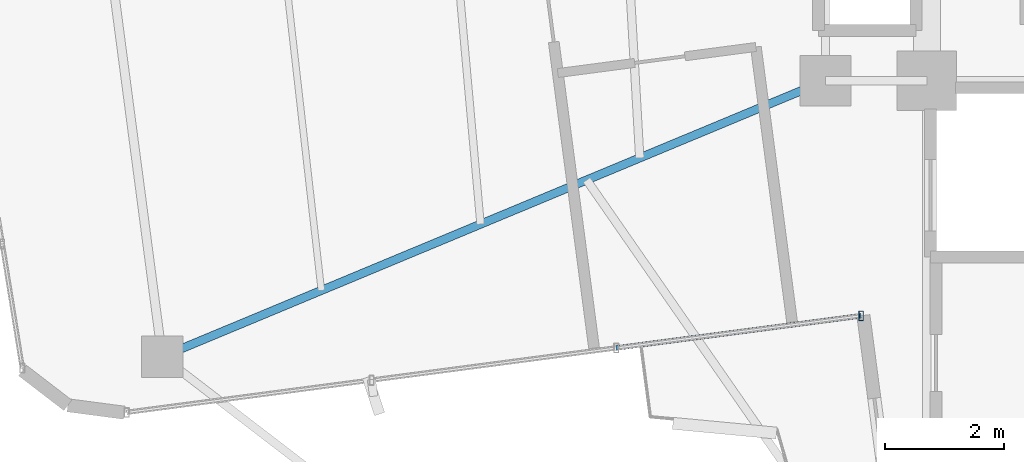
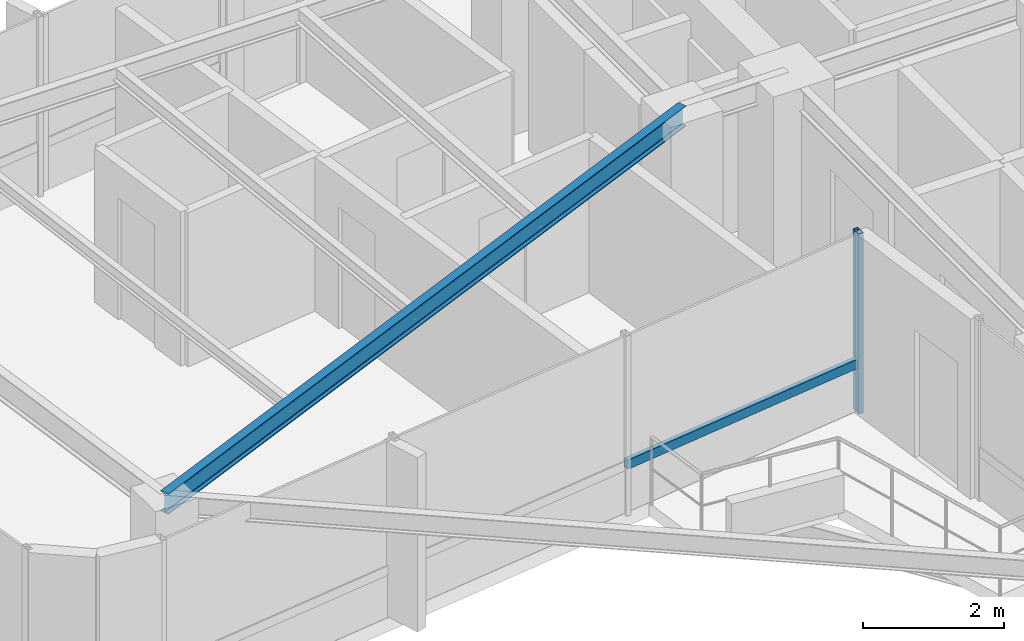
# One storey, part 3 of 21: 2 members, 1 beam, 1 element without a shape of its own.
"""IFC4 building model written with IfcOpenShell, lengths in metres."""

from ifc_helpers import new_model, si_unit, direction, frame, origin, origin_2d, place, context, subcontext, project, spatial, hollow_rectangle, i_section, extrude, source, transform, mapped, material, material_profile, profile_set, type_object, element, aggregate, save


model = new_model("IFC4")

# Units and contexts
model_context = context("Model", 3, precision=1e-05, world=origin(), true_north=direction((0.0, 1.0)))
body_context = subcontext(model_context, "Body", "Model", "MODEL_VIEW")
ifc_project = project(units=[si_unit("LENGTHUNIT", "METRE"), si_unit("AREAUNIT", "SQUARE_METRE"), si_unit("VOLUMEUNIT", "CUBIC_METRE"), si_unit("PLANEANGLEUNIT", "RADIAN"), si_unit("MASSUNIT", "GRAM", prefix="KILO")], contexts=[model_context])

# Site, building, storey
site_placement = place(None, origin())
site = spatial("IfcSite", under=ifc_project, at=site_placement, CompositionType="ELEMENT")
building_placement = place(site_placement, origin())
building = spatial("IfcBuilding", under=site, at=building_placement, Name="Sahyath Konkavel Grand Hotel", CompositionType="ELEMENT")
storey_placement = place(building_placement, frame((0.0, 0.0, 216.550048828125)))
storey = spatial("IfcBuildingStorey", under=building, at=storey_placement, Name="L60", CompositionType="ELEMENT", Elevation=216.550048828125)

# Beam
ifc_material_1 = material(Name="Steel E350", Category="steel")
ifc_material_profile_1 = material_profile(ifc_material_1, i_section(OverallWidth=0.139892578125, OverallDepth=0.35009765625, WebThickness=0.008056640625, FlangeThickness=0.01416015625, FilletRadius=0.013916015625, at=origin_2d()), Name="ISMB 350")
ifc_profile_set_1 = profile_set([ifc_material_profile_1], Name="Steel E350")
beam_type = type_object("IfcBeamType", Name="BM-ISMB350", PredefinedType="BEAM", material=ifc_profile_set_1)
shared_shape_1 = source(origin(), body_context, "Body", "SweptSolid", [
    extrude(i_section(OverallWidth=0.139892578125, OverallDepth=0.35009765625, WebThickness=0.008056640625, FlangeThickness=0.01416015625, FilletRadius=0.013916015625, at=origin_2d()), origin(), (0.0, 0.0, 1.0), 12.049560546875),
])
beam_placement = place(storey_placement, frame((-5.5, -2.39990234375, 2.93505859375), z_axis=(-0.923226714744, -0.384255687248, 0.0), x_axis=(0.384255687248, -0.923226714744, 0.0)))
element("IfcBeam", 1, at=beam_placement, inside=storey, type_object=beam_type, Name="L60 Cruciform Radial Girder WB", PredefinedType="BEAM", context=body_context, shape_type="MappedRepresentation", body=[
    mapped(shared_shape_1, transform((0.0, 0.0, 0.0), scale=1.0)),
])

# Curtain wall, members
ifc_material_2 = material(Name="Anodised Bronze Aluminium & Low-E Glazing", Category="aluminium")
curtain_wall_type = type_object("IfcCurtainWallType", Name="CW-ZONE4", PredefinedType="NOTDEFINED", material=ifc_material_2)
curtain_wall_placement = place(storey_placement, origin())
curtain_wall = element("IfcCurtainWall", 2, at=curtain_wall_placement, inside=storey, type_object=curtain_wall_type, Name="L60 Unitised Curtain Wall F23", PredefinedType="NOTDEFINED")
ifc_material_3 = material(Name="Anodised Bronze Aluminium", Category="aluminium")
ifc_material_profile_2 = material_profile(ifc_material_3, hollow_rectangle(XDim=0.080078125, YDim=0.159912109375, WallThickness=0.006103515625, at=origin_2d()), Name="RHS 160x80x6")
ifc_profile_set_2 = profile_set([ifc_material_profile_2], Name="Anodised Bronze Aluminium")
member_type_1 = type_object("IfcMemberType", Name="CW-MUL-160", PredefinedType="MULLION", material=ifc_profile_set_2)
shared_shape_2 = source(origin(), body_context, "Body", "SweptSolid", [
    extrude(hollow_rectangle(XDim=0.080078125, YDim=0.159912109375, WallThickness=0.006103515625, at=origin_2d()), origin(), (0.0, 0.0, 1.0), 3.10986328125),
])
member_1_placement = place(storey_placement, frame((-4.90380859375, -6.34423828125, 0.0), z_axis=(0.0, 0.0, 1.0), x_axis=(1.0, 0.0, 0.0)))
member_1 = element("IfcMember", 3, at=member_1_placement, type_object=member_type_1, Name="L60 Curtain Wall Mullion F23-3", PredefinedType="MULLION", context=body_context, shape_type="MappedRepresentation", body=[
    mapped(shared_shape_2, transform((0.0, 0.0, 0.0), scale=1.0)),
])
ifc_material_profile_3 = material_profile(ifc_material_3, hollow_rectangle(XDim=0.080078125, YDim=0.159912109375, WallThickness=0.006103515625, at=origin_2d()), Name="RHS 160x80x6")
ifc_profile_set_3 = profile_set([ifc_material_profile_3], Name="Anodised Bronze Aluminium")
member_type_2 = type_object("IfcMemberType", Name="CW-TRN-160", PredefinedType="USERDEFINED", material=ifc_profile_set_3)
shared_shape_3 = source(origin(), body_context, "Body", "SweptSolid", [
    extrude(hollow_rectangle(XDim=0.080078125, YDim=0.159912109375, WallThickness=0.006103515625, at=origin_2d()), origin(), (0.0, 0.0, 1.0), 4.14013671875),
])
member_2_placement = place(storey_placement, frame((-9.008544921875, -6.884765625, 0.849853515625), z_axis=(0.99144084268, 0.130556713596, 0.0), x_axis=(-0.130556713596, 0.99144084268, 0.0)))
member_2 = element("IfcMember", 4, at=member_2_placement, type_object=member_type_2, Name="L60 Curtain Wall Transom F23-2-spandrel", ObjectType="TRANSOM", PredefinedType="USERDEFINED", context=body_context, shape_type="MappedRepresentation", body=[
    mapped(shared_shape_3, transform((0.0, 0.0, 0.0), scale=1.0)),
])
aggregate(curtain_wall, [member_1, member_2])

save(model, "model.ifc")
